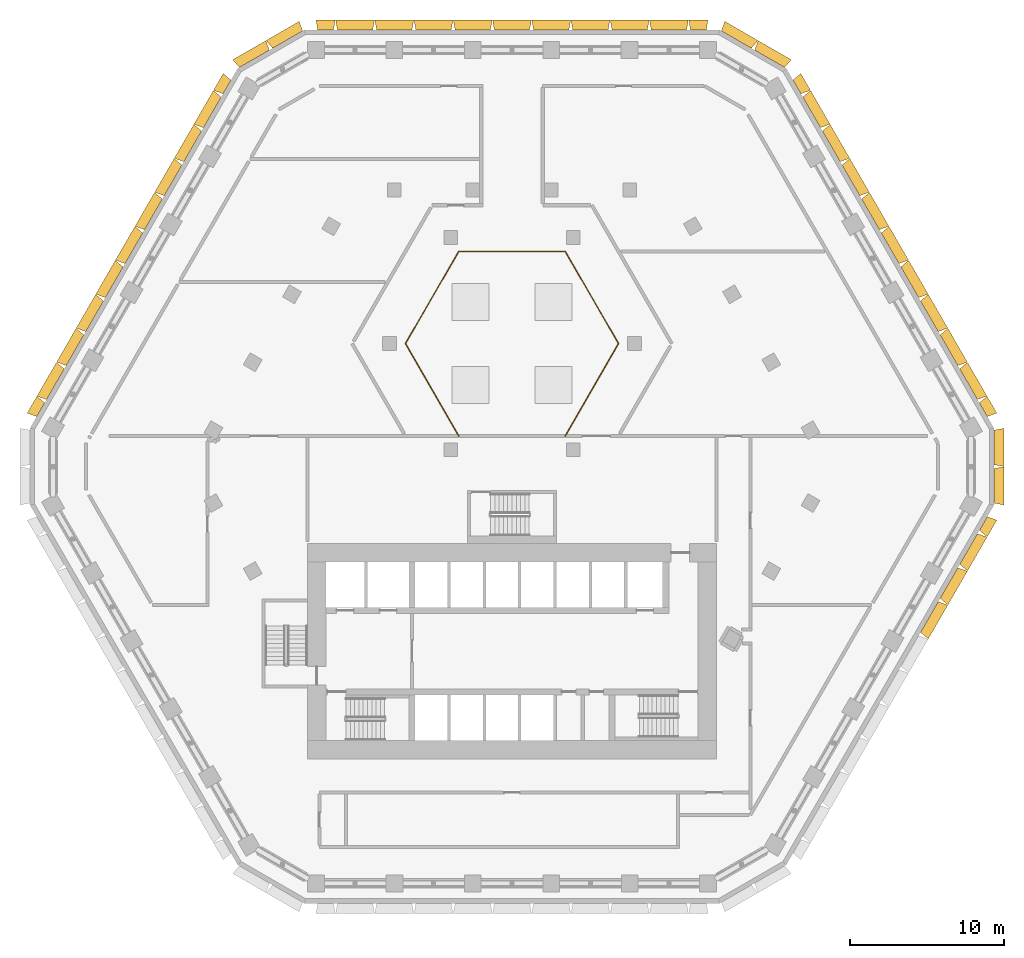
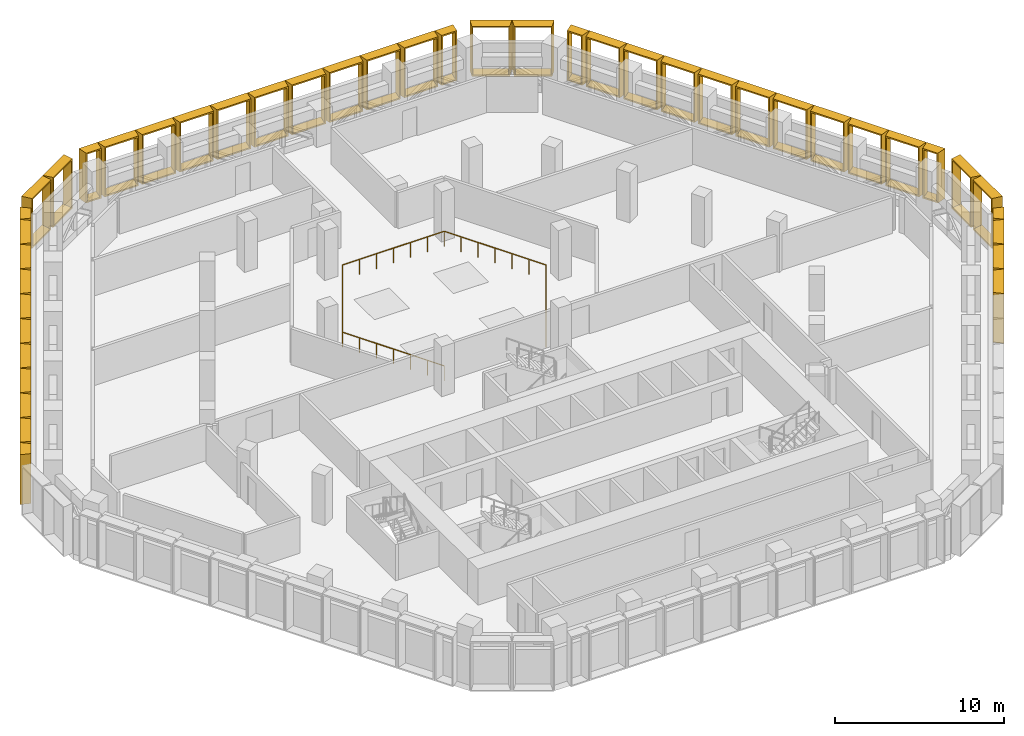
# One storey, part 22 of 22: 43 shading devices, 1 railing.
"""IFC4 building model written with IfcOpenShell, lengths in metres."""

from ifc_helpers import new_model, entity, si_unit, direction, frame, origin, origin_2d, place, context, subcontext, project, spatial, rectangle, extrude, source, transform, mapped, material, type_object, type_shapes, element, save


model = new_model("IFC4")

# Units and contexts
model_context = context("Model", 3, precision=1e-05, world=origin(), true_north=direction((0.0, 1.0)))
body_context = subcontext(model_context, "Body", "Model", "MODEL_VIEW")
ifc_project = project(units=[si_unit("LENGTHUNIT", "METRE"), si_unit("AREAUNIT", "SQUARE_METRE"), si_unit("VOLUMEUNIT", "CUBIC_METRE"), si_unit("PLANEANGLEUNIT", "RADIAN"), si_unit("MASSUNIT", "GRAM", prefix="KILO")], contexts=[model_context])

# Site, building, storey
site_placement = place(None, origin())
site = spatial("IfcSite", under=ifc_project, at=site_placement, CompositionType="ELEMENT")
building_placement = place(site_placement, origin())
building = spatial("IfcBuilding", under=site, at=building_placement, Name="Beryl Residences", CompositionType="ELEMENT")
storey_placement = place(building_placement, frame((0.0, 0.0, 62.39990234375)))
storey = spatial("IfcBuildingStorey", under=building, at=storey_placement, Name="L19", CompositionType="ELEMENT", Elevation=62.39990234375)

# Railing
ifc_material_1 = material(Name="Stainless steel balustrade with glass infill", Category="steel")
railing_type = type_object("IfcRailingType", Name="EG1 edge guard 1100 mm", PredefinedType="GUARDRAIL", material=ifc_material_1)
railing_placement = place(storey_placement, frame((3.464111328125, 2.0, 0.0)))
element("IfcRailing", 1, at=railing_placement, inside=storey, type_object=railing_type, Name="L19 guard 1", PredefinedType="GUARDRAIL", context=body_context, shape_type="SweptSolid", body=[
    extrude(rectangle(XDim=0.048095703125, YDim=0.048095703125, at=origin_2d()), frame((0.0, 0.0, 1.076171875), z_axis=(0.49997462182, 0.866040055388, 0.0), x_axis=(-0.866040055388, 0.49997462182, 0.0)), (0.0, 0.0, 1.0), 6.927978515625),
    extrude(rectangle(XDim=0.048095703125, YDim=0.048095703125, at=origin_2d()), frame((3.4638671875, 6.0, 1.076171875), z_axis=(-0.49997462182, 0.866040055388, 0.0), x_axis=(-0.866040055388, -0.49997462182, 0.0)), (0.0, 0.0, 1.0), 6.927978515625),
    extrude(rectangle(XDim=0.048095703125, YDim=0.048095703125, at=origin_2d()), frame((0.0, 12.0, 1.076171875), z_axis=(-1.0, 0.0, 0.0), x_axis=(0.0, -1.0, 0.0)), (0.0, 0.0, 1.0), 6.92822265625),
    extrude(rectangle(XDim=0.048095703125, YDim=0.048095703125, at=origin_2d()), frame((-6.92822265625, 12.0, 1.076171875), z_axis=(-0.49997462182, -0.866040055388, 0.0), x_axis=(0.866040055388, -0.49997462182, 0.0)), (0.0, 0.0, 1.0), 6.927978515625),
    extrude(rectangle(XDim=0.048095703125, YDim=0.048095703125, at=origin_2d()), frame((-10.39208984375, 6.0, 1.076171875), z_axis=(0.49997462182, -0.866040055388, 0.0), x_axis=(0.866040055388, 0.49997462182, 0.0)), (0.0, 0.0, 1.0), 6.927978515625),
    extrude(rectangle(XDim=0.0419921875, YDim=0.0419921875, at=origin_2d()), origin(), (0.0, 0.0, 1.0), 1.052001953125),
    extrude(rectangle(XDim=0.0419921875, YDim=0.0419921875, at=origin_2d()), frame((0.577392578125, 1.0, 0.0)), (0.0, 0.0, 1.0), 1.052001953125),
    extrude(rectangle(XDim=0.0419921875, YDim=0.0419921875, at=origin_2d()), frame((1.154541015625, 2.0, 0.0)), (0.0, 0.0, 1.0), 1.052001953125),
    extrude(rectangle(XDim=0.0419921875, YDim=0.0419921875, at=origin_2d()), frame((1.73193359375, 3.0, 0.0)), (0.0, 0.0, 1.0), 1.052001953125),
    extrude(rectangle(XDim=0.0419921875, YDim=0.0419921875, at=origin_2d()), frame((2.309326171875, 4.0, 0.0)), (0.0, 0.0, 1.0), 1.052001953125),
    extrude(rectangle(XDim=0.0419921875, YDim=0.0419921875, at=origin_2d()), frame((2.886474609375, 5.0, 0.0)), (0.0, 0.0, 1.0), 1.052001953125),
    extrude(rectangle(XDim=0.0419921875, YDim=0.0419921875, at=origin_2d()), frame((3.4638671875, 6.0, 0.0)), (0.0, 0.0, 1.0), 1.052001953125),
    extrude(rectangle(XDim=0.0419921875, YDim=0.0419921875, at=origin_2d()), frame((2.886474609375, 7.0, 0.0)), (0.0, 0.0, 1.0), 1.052001953125),
    extrude(rectangle(XDim=0.0419921875, YDim=0.0419921875, at=origin_2d()), frame((2.309326171875, 8.0, 0.0)), (0.0, 0.0, 1.0), 1.052001953125),
    extrude(rectangle(XDim=0.0419921875, YDim=0.0419921875, at=origin_2d()), frame((1.73193359375, 9.0, 0.0)), (0.0, 0.0, 1.0), 1.052001953125),
    extrude(rectangle(XDim=0.0419921875, YDim=0.0419921875, at=origin_2d()), frame((1.154541015625, 10.0, 0.0)), (0.0, 0.0, 1.0), 1.052001953125),
    extrude(rectangle(XDim=0.0419921875, YDim=0.0419921875, at=origin_2d()), frame((0.577392578125, 11.0, 0.0)), (0.0, 0.0, 1.0), 1.052001953125),
    extrude(rectangle(XDim=0.0419921875, YDim=0.0419921875, at=origin_2d()), frame((0.0, 12.0, 0.0)), (0.0, 0.0, 1.0), 1.052001953125),
    extrude(rectangle(XDim=0.0419921875, YDim=0.0419921875, at=origin_2d()), frame((-1.15478515625, 12.0, 0.0)), (0.0, 0.0, 1.0), 1.052001953125),
    extrude(rectangle(XDim=0.0419921875, YDim=0.0419921875, at=origin_2d()), frame((-2.309326171875, 12.0, 0.0)), (0.0, 0.0, 1.0), 1.052001953125),
    extrude(rectangle(XDim=0.0419921875, YDim=0.0419921875, at=origin_2d()), frame((-3.464111328125, 12.0, 0.0)), (0.0, 0.0, 1.0), 1.052001953125),
    extrude(rectangle(XDim=0.0419921875, YDim=0.0419921875, at=origin_2d()), frame((-4.618896484375, 12.0, 0.0)), (0.0, 0.0, 1.0), 1.052001953125),
    extrude(rectangle(XDim=0.0419921875, YDim=0.0419921875, at=origin_2d()), frame((-5.7734375, 12.0, 0.0)), (0.0, 0.0, 1.0), 1.052001953125),
    extrude(rectangle(XDim=0.0419921875, YDim=0.0419921875, at=origin_2d()), frame((-6.92822265625, 12.0, 0.0)), (0.0, 0.0, 1.0), 1.052001953125),
    extrude(rectangle(XDim=0.0419921875, YDim=0.0419921875, at=origin_2d()), frame((-7.505615234375, 11.0, 0.0)), (0.0, 0.0, 1.0), 1.052001953125),
    extrude(rectangle(XDim=0.0419921875, YDim=0.0419921875, at=origin_2d()), frame((-8.082763671875, 10.0, 0.0)), (0.0, 0.0, 1.0), 1.052001953125),
    extrude(rectangle(XDim=0.0419921875, YDim=0.0419921875, at=origin_2d()), frame((-8.66015625, 9.0, 0.0)), (0.0, 0.0, 1.0), 1.052001953125),
    extrude(rectangle(XDim=0.0419921875, YDim=0.0419921875, at=origin_2d()), frame((-9.237548828125, 8.0, 0.0)), (0.0, 0.0, 1.0), 1.052001953125),
    extrude(rectangle(XDim=0.0419921875, YDim=0.0419921875, at=origin_2d()), frame((-9.814697265625, 7.0, 0.0)), (0.0, 0.0, 1.0), 1.052001953125),
    extrude(rectangle(XDim=0.0419921875, YDim=0.0419921875, at=origin_2d()), frame((-10.39208984375, 6.0, 0.0)), (0.0, 0.0, 1.0), 1.052001953125),
    extrude(rectangle(XDim=0.0419921875, YDim=0.0419921875, at=origin_2d()), frame((-9.814697265625, 5.0, 0.0)), (0.0, 0.0, 1.0), 1.052001953125),
    extrude(rectangle(XDim=0.0419921875, YDim=0.0419921875, at=origin_2d()), frame((-9.237548828125, 4.0, 0.0)), (0.0, 0.0, 1.0), 1.052001953125),
    extrude(rectangle(XDim=0.0419921875, YDim=0.0419921875, at=origin_2d()), frame((-8.66015625, 3.0, 0.0)), (0.0, 0.0, 1.0), 1.052001953125),
    extrude(rectangle(XDim=0.0419921875, YDim=0.0419921875, at=origin_2d()), frame((-8.082763671875, 2.0, 0.0)), (0.0, 0.0, 1.0), 1.052001953125),
    extrude(rectangle(XDim=0.0419921875, YDim=0.0419921875, at=origin_2d()), frame((-7.505615234375, 1.0, 0.0)), (0.0, 0.0, 1.0), 1.052001953125),
    extrude(rectangle(XDim=0.0419921875, YDim=0.0419921875, at=origin_2d()), frame((-6.92822265625, 0.0, 0.0)), (0.0, 0.0, 1.0), 1.052001953125),
])

# Shading devices
ifc_material_2 = material(Name="Aluminium pale anodised", Category="aluminium")
shading_device_type_1 = type_object("IfcShadingDeviceType", Name="FR128-65A-H36 OUTER SKIN frame 650 mm deep, splay 10/10 deg, 1280 x 3600 mm cell", PredefinedType="USERDEFINED", material=ifc_material_2)
cartesian_point_1 = entity("IfcCartesianPoint", [-0.514892578125, 0.0])
cartesian_point_2 = entity("IfcCartesianPoint", [-0.433837890625, 0.10009765625])
cartesian_point_3 = entity("IfcCartesianPoint", [-0.629638671875, 0.0])
cartesian_point_4 = entity("IfcCartesianPoint", [-0.54833984375, 0.10009765625])
shared_shape_1 = source(origin(), body_context, "Body", "SweptSolid", [
    entity("IfcExtrudedAreaSolidTapered", entity("IfcArbitraryProfileDefWithVoids", "AREA", None, entity("IfcPolyline", [cartesian_point_1, entity("IfcCartesianPoint", [0.514892578125, 0.0]), entity("IfcCartesianPoint", [0.514892578125, 3.60009765625]), entity("IfcCartesianPoint", [-0.514892578125, 3.60009765625]), cartesian_point_1]), [entity("IfcPolyline", [cartesian_point_2, entity("IfcCartesianPoint", [0.433837890625, 0.10009765625]), entity("IfcCartesianPoint", [0.433837890625, 3.5]), entity("IfcCartesianPoint", [-0.433837890625, 3.5]), cartesian_point_2])]), entity("IfcAxis2Placement3D", entity("IfcCartesianPoint", [0.0, 0.0, 0.0]), entity("IfcDirection", [0.0, 1.0, 0.0]), entity("IfcDirection", [-1.0, 0.0, 0.0])), entity("IfcDirection", [0.0, 0.0, 1.0]), 0.64990234375, entity("IfcArbitraryProfileDefWithVoids", "AREA", None, entity("IfcPolyline", [cartesian_point_3, entity("IfcCartesianPoint", [0.629638671875, 0.0]), entity("IfcCartesianPoint", [0.629638671875, 3.60009765625]), entity("IfcCartesianPoint", [-0.629638671875, 3.60009765625]), cartesian_point_3]), [entity("IfcPolyline", [cartesian_point_4, entity("IfcCartesianPoint", [0.54833984375, 0.10009765625]), entity("IfcCartesianPoint", [0.54833984375, 3.5]), entity("IfcCartesianPoint", [-0.54833984375, 3.5]), cartesian_point_4])])),
])
type_shapes(shading_device_type_1, [shared_shape_1])
for number, where, z_axis, x_axis, name in (
    (2, (12.12109375, 28.39990234375, 0.0), (0.0, 0.0, 1.0), (1.0, 0.0, 0.0), "FR128-65A-H36 frame L19 N 1"),
    (3, (-12.123046875, 28.39990234375, 0.0), (0.0, 0.0, 1.0), (1.0, 0.0, 0.0), "FR128-65A-H36 frame L19 N 11"),
    (4, (-18.534912109375, 24.697021484375, 0.0), (0.0, 0.0, 1.0), (0.5, 0.866025403784, 0.0), "FR128-65A-H36 frame L19 NW 1"),
    (5, (-30.656005859375, 3.700927734375, 0.0), (0.0, 0.0, 1.0), (0.5, 0.866025403784, 0.0), "FR128-65A-H36 frame L19 NW 11"),
    (6, (30.656005859375, -3.700927734375, 0.0), (0.0, 0.0, 1.0), (-0.5, -0.866025403784, 0.0), "FR128-65A-H36 frame L19 SE 11"),
    (7, (30.655029296875, 3.702880859375, 0.0), (0.0, 0.0, 1.0), (0.5, -0.866025403784, 0.0), "FR128-65A-H36 frame L19 NE 1"),
    (8, (18.533935546875, 24.698974609375, 0.0), (0.0, 0.0, 1.0), (0.5, -0.866025403784, 0.0), "FR128-65A-H36 frame L19 NE 11"),
):
    element("IfcShadingDevice", number, at=place(storey_placement, frame(where, z_axis=z_axis, x_axis=x_axis)), inside=storey, type_object=shading_device_type_1, Name=name, ObjectType="OUTER SKIN", PredefinedType="USERDEFINED", context=body_context, shape_type="MappedRepresentation", body=[
        mapped(shared_shape_1, transform((0.0, 0.0, 0.0))),
    ])
ifc_material_3 = material(Name="Aluminium pale anodised", Category="aluminium")
shading_device_type_2 = type_object("IfcShadingDeviceType", Name="FR250-65A-H36 OUTER SKIN frame 650 mm deep, splay 10/10 deg, 2500 x 3600 mm cell", PredefinedType="USERDEFINED", material=ifc_material_3)
cartesian_point_5 = entity("IfcCartesianPoint", [-1.125, 0.0])
cartesian_point_6 = entity("IfcCartesianPoint", [-1.043701171875, 0.10009765625])
cartesian_point_7 = entity("IfcCartesianPoint", [-1.239501953125, 0.0])
cartesian_point_8 = entity("IfcCartesianPoint", [-1.158447265625, 0.10009765625])
shared_shape_2 = source(origin(), body_context, "Body", "SweptSolid", [
    entity("IfcExtrudedAreaSolidTapered", entity("IfcArbitraryProfileDefWithVoids", "AREA", None, entity("IfcPolyline", [cartesian_point_5, entity("IfcCartesianPoint", [1.125, 0.0]), entity("IfcCartesianPoint", [1.125, 3.60009765625]), entity("IfcCartesianPoint", [-1.125, 3.60009765625]), cartesian_point_5]), [entity("IfcPolyline", [cartesian_point_6, entity("IfcCartesianPoint", [1.043701171875, 0.10009765625]), entity("IfcCartesianPoint", [1.043701171875, 3.5]), entity("IfcCartesianPoint", [-1.043701171875, 3.5]), cartesian_point_6])]), entity("IfcAxis2Placement3D", entity("IfcCartesianPoint", [0.0, 0.0, 0.0]), entity("IfcDirection", [0.0, 1.0, 0.0]), entity("IfcDirection", [-1.0, 0.0, 0.0])), entity("IfcDirection", [0.0, 0.0, 1.0]), 0.64990234375, entity("IfcArbitraryProfileDefWithVoids", "AREA", None, entity("IfcPolyline", [cartesian_point_7, entity("IfcCartesianPoint", [1.239501953125, 0.0]), entity("IfcCartesianPoint", [1.239501953125, 3.60009765625]), entity("IfcCartesianPoint", [-1.239501953125, 3.60009765625]), cartesian_point_7]), [entity("IfcPolyline", [cartesian_point_8, entity("IfcCartesianPoint", [1.158447265625, 0.10009765625]), entity("IfcCartesianPoint", [1.158447265625, 3.5]), entity("IfcCartesianPoint", [-1.158447265625, 3.5]), cartesian_point_8])])),
])
type_shapes(shading_device_type_2, [shared_shape_2])
for number, where, z_axis, x_axis, name in (
    (9, (-14.593017578125, 27.77490234375, 0.0), (0.0, 0.0, 1.0), (0.866025403784, 0.5, 0.0), "FR250-65A-H36 frame L19 N-NW 1"),
    (10, (-16.758056640625, 26.52490234375, 0.0), (0.0, 0.0, 1.0), (0.866025403784, 0.5, 0.0), "FR250-65A-H36 frame L19 N-NW 2"),
    (11, (31.35009765625, -1.25, 0.0), (0.0, 0.0, 1.0), (0.0, -1.0, 0.0), "FR250-65A-H36 frame L19 SE-NE 1"),
    (12, (31.35009765625, 1.25, 0.0), (0.0, 0.0, 1.0), (0.0, -1.0, 0.0), "FR250-65A-H36 frame L19 SE-NE 2"),
    (13, (16.758056640625, 26.52490234375, 0.0), (0.0, 0.0, 1.0), (0.866025403784, -0.5, 0.0), "FR250-65A-H36 frame L19 NE-N 1"),
    (14, (14.593017578125, 27.77490234375, 0.0), (0.0, 0.0, 1.0), (0.866025403784, -0.5, 0.0), "FR250-65A-H36 frame L19 NE-N 2"),
):
    element("IfcShadingDevice", number, at=place(storey_placement, frame(where, z_axis=z_axis, x_axis=x_axis)), inside=storey, type_object=shading_device_type_2, Name=name, ObjectType="OUTER SKIN", PredefinedType="USERDEFINED", context=body_context, shape_type="MappedRepresentation", body=[
        mapped(shared_shape_2, transform((0.0, 0.0, 0.0))),
    ])
ifc_material_4 = material(Name="Aluminium pale anodised", Category="aluminium")
shading_device_type_3 = type_object("IfcShadingDeviceType", Name="FR255-65A-H36 OUTER SKIN frame 650 mm deep, splay 10/10 deg, 2550 x 3600 mm cell", PredefinedType="USERDEFINED", material=ifc_material_4)
cartesian_point_9 = entity("IfcCartesianPoint", [-1.14990234375, 0.0])
cartesian_point_10 = entity("IfcCartesianPoint", [-1.06884765625, 0.10009765625])
cartesian_point_11 = entity("IfcCartesianPoint", [-1.2646484375, 0.0])
cartesian_point_12 = entity("IfcCartesianPoint", [-1.183349609375, 0.10009765625])
shared_shape_3 = source(origin(), body_context, "Body", "SweptSolid", [
    entity("IfcExtrudedAreaSolidTapered", entity("IfcArbitraryProfileDefWithVoids", "AREA", None, entity("IfcPolyline", [cartesian_point_9, entity("IfcCartesianPoint", [1.14990234375, 0.0]), entity("IfcCartesianPoint", [1.14990234375, 3.60009765625]), entity("IfcCartesianPoint", [-1.14990234375, 3.60009765625]), cartesian_point_9]), [entity("IfcPolyline", [cartesian_point_10, entity("IfcCartesianPoint", [1.06884765625, 0.10009765625]), entity("IfcCartesianPoint", [1.06884765625, 3.5]), entity("IfcCartesianPoint", [-1.06884765625, 3.5]), cartesian_point_10])]), entity("IfcAxis2Placement3D", entity("IfcCartesianPoint", [0.0, 0.0, 0.0]), entity("IfcDirection", [0.0, 1.0, 0.0]), entity("IfcDirection", [-1.0, 0.0, 0.0])), entity("IfcDirection", [0.0, 0.0, 1.0]), 0.64990234375, entity("IfcArbitraryProfileDefWithVoids", "AREA", None, entity("IfcPolyline", [cartesian_point_11, entity("IfcCartesianPoint", [1.2646484375, 0.0]), entity("IfcCartesianPoint", [1.2646484375, 3.60009765625]), entity("IfcCartesianPoint", [-1.2646484375, 3.60009765625]), cartesian_point_11]), [entity("IfcPolyline", [cartesian_point_12, entity("IfcCartesianPoint", [1.183349609375, 0.10009765625]), entity("IfcCartesianPoint", [1.183349609375, 3.5]), entity("IfcCartesianPoint", [-1.183349609375, 3.5]), cartesian_point_12])])),
])
type_shapes(shading_device_type_3, [shared_shape_3])
for number, where, z_axis, x_axis, name in (
    (15, (10.20703125, 28.39990234375, 0.0), (0.0, 0.0, 1.0), (1.0, 0.0, 0.0), "FR255-65A-H36 frame L19 N 2"),
    (16, (7.655029296875, 28.39990234375, 0.0), (0.0, 0.0, 1.0), (1.0, 0.0, 0.0), "FR255-65A-H36 frame L19 N 3"),
    (17, (5.10302734375, 28.39990234375, 0.0), (0.0, 0.0, 1.0), (1.0, 0.0, 0.0), "FR255-65A-H36 frame L19 N 4"),
    (18, (2.551025390625, 28.39990234375, 0.0), (0.0, 0.0, 1.0), (1.0, 0.0, 0.0), "FR255-65A-H36 frame L19 N 5"),
    (19, (-0.0009765625, 28.39990234375, 0.0), (0.0, 0.0, 1.0), (1.0, 0.0, 0.0), "FR255-65A-H36 frame L19 N 6"),
    (20, (-2.552978515625, 28.39990234375, 0.0), (0.0, 0.0, 1.0), (1.0, 0.0, 0.0), "FR255-65A-H36 frame L19 N 7"),
    (21, (-5.10498046875, 28.39990234375, 0.0), (0.0, 0.0, 1.0), (1.0, 0.0, 0.0), "FR255-65A-H36 frame L19 N 8"),
    (22, (-7.656982421875, 28.39990234375, 0.0), (0.0, 0.0, 1.0), (1.0, 0.0, 0.0), "FR255-65A-H36 frame L19 N 9"),
    (23, (-10.208984375, 28.39990234375, 0.0), (0.0, 0.0, 1.0), (1.0, 0.0, 0.0), "FR255-65A-H36 frame L19 N 10"),
    (24, (-19.491943359375, 23.0400390625, 0.0), (0.0, 0.0, 1.0), (0.5, 0.866025403784, 0.0), "FR255-65A-H36 frame L19 NW 2"),
    (25, (-20.76806640625, 20.830078125, 0.0), (0.0, 0.0, 1.0), (0.5, 0.866025403784, 0.0), "FR255-65A-H36 frame L19 NW 3"),
    (26, (-22.0439453125, 18.618896484375, 0.0), (0.0, 0.0, 1.0), (0.5, 0.866025403784, 0.0), "FR255-65A-H36 frame L19 NW 4"),
    (27, (-23.320068359375, 16.408935546875, 0.0), (0.0, 0.0, 1.0), (0.5, 0.866025403784, 0.0), "FR255-65A-H36 frame L19 NW 5"),
    (28, (-24.594970703125, 14.198974609375, 0.0), (0.0, 0.0, 1.0), (0.5, 0.866025403784, 0.0), "FR255-65A-H36 frame L19 NW 6"),
    (29, (-25.87109375, 11.989013671875, 0.0), (0.0, 0.0, 1.0), (0.5, 0.866025403784, 0.0), "FR255-65A-H36 frame L19 NW 7"),
    (30, (-27.14697265625, 9.779052734375, 0.0), (0.0, 0.0, 1.0), (0.5, 0.866025403784, 0.0), "FR255-65A-H36 frame L19 NW 8"),
    (31, (-28.423095703125, 7.569091796875, 0.0), (0.0, 0.0, 1.0), (0.5, 0.866025403784, 0.0), "FR255-65A-H36 frame L19 NW 9"),
    (32, (-29.698974609375, 5.35888671875, 0.0), (0.0, 0.0, 1.0), (0.5, 0.866025403784, 0.0), "FR255-65A-H36 frame L19 NW 10"),
    (33, (27.14697265625, -9.779052734375, 0.0), (0.0, 0.0, 1.0), (-0.5, -0.866025403784, 0.0), "FR255-65A-H36 frame L19 SE 8"),
    (34, (28.423095703125, -7.569091796875, 0.0), (0.0, 0.0, 1.0), (-0.5, -0.866025403784, 0.0), "FR255-65A-H36 frame L19 SE 9"),
    (35, (29.698974609375, -5.35888671875, 0.0), (0.0, 0.0, 1.0), (-0.5, -0.866025403784, 0.0), "FR255-65A-H36 frame L19 SE 10"),
    (36, (29.697998046875, 5.360107421875, 0.0), (0.0, 0.0, 1.0), (0.5, -0.866025403784, 0.0), "FR255-65A-H36 frame L19 NE 2"),
    (37, (28.422119140625, 7.570068359375, 0.0), (0.0, 0.0, 1.0), (0.5, -0.866025403784, 0.0), "FR255-65A-H36 frame L19 NE 3"),
    (38, (27.14599609375, 9.781005859375, 0.0), (0.0, 0.0, 1.0), (0.5, -0.866025403784, 0.0), "FR255-65A-H36 frame L19 NE 4"),
    (39, (25.8701171875, 11.990966796875, 0.0), (0.0, 0.0, 1.0), (0.5, -0.866025403784, 0.0), "FR255-65A-H36 frame L19 NE 5"),
    (40, (24.594970703125, 14.200927734375, 0.0), (0.0, 0.0, 1.0), (0.5, -0.866025403784, 0.0), "FR255-65A-H36 frame L19 NE 6"),
    (41, (23.319091796875, 16.410888671875, 0.0), (0.0, 0.0, 1.0), (0.5, -0.866025403784, 0.0), "FR255-65A-H36 frame L19 NE 7"),
    (42, (22.04296875, 18.62109375, 0.0), (0.0, 0.0, 1.0), (0.5, -0.866025403784, 0.0), "FR255-65A-H36 frame L19 NE 8"),
    (43, (20.76708984375, 20.8310546875, 0.0), (0.0, 0.0, 1.0), (0.5, -0.866025403784, 0.0), "FR255-65A-H36 frame L19 NE 9"),
    (44, (19.490966796875, 23.041015625, 0.0), (0.0, 0.0, 1.0), (0.5, -0.866025403784, 0.0), "FR255-65A-H36 frame L19 NE 10"),
):
    element("IfcShadingDevice", number, at=place(storey_placement, frame(where, z_axis=z_axis, x_axis=x_axis)), inside=storey, type_object=shading_device_type_3, Name=name, ObjectType="OUTER SKIN", PredefinedType="USERDEFINED", context=body_context, shape_type="MappedRepresentation", body=[
        mapped(shared_shape_3, transform((0.0, 0.0, 0.0))),
    ])

save(model, "model.ifc")
